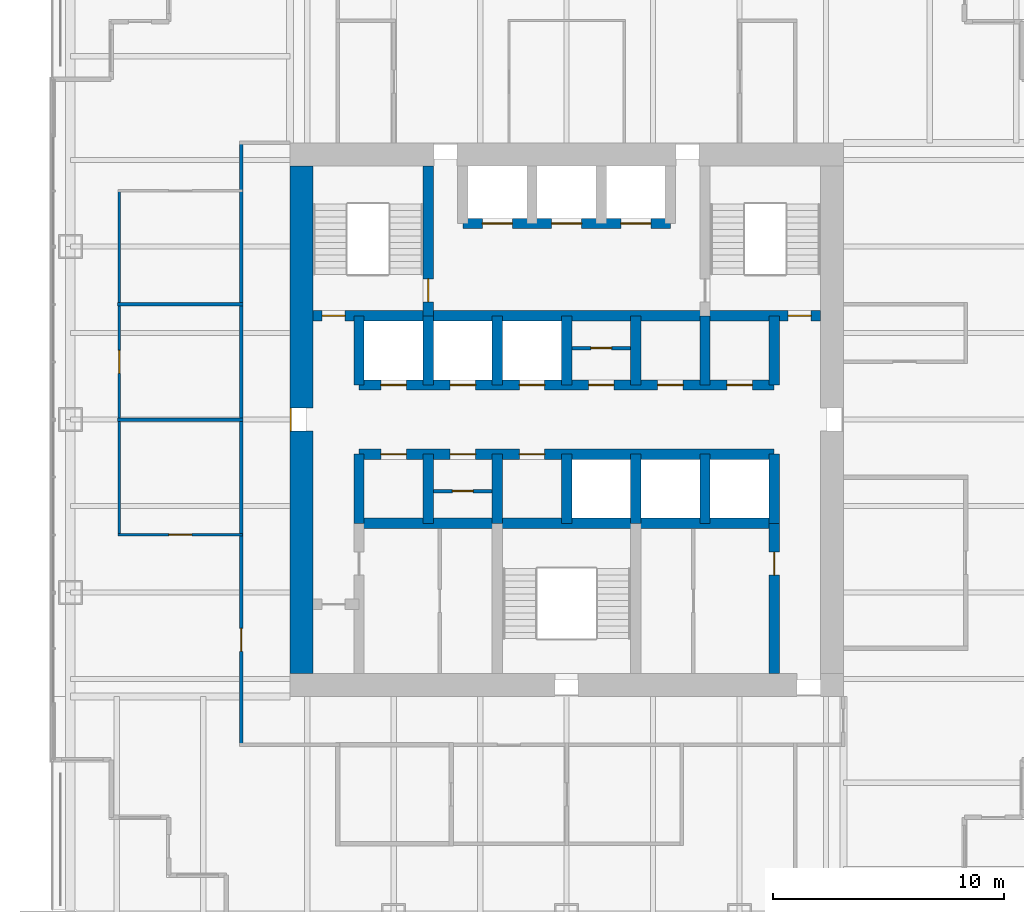
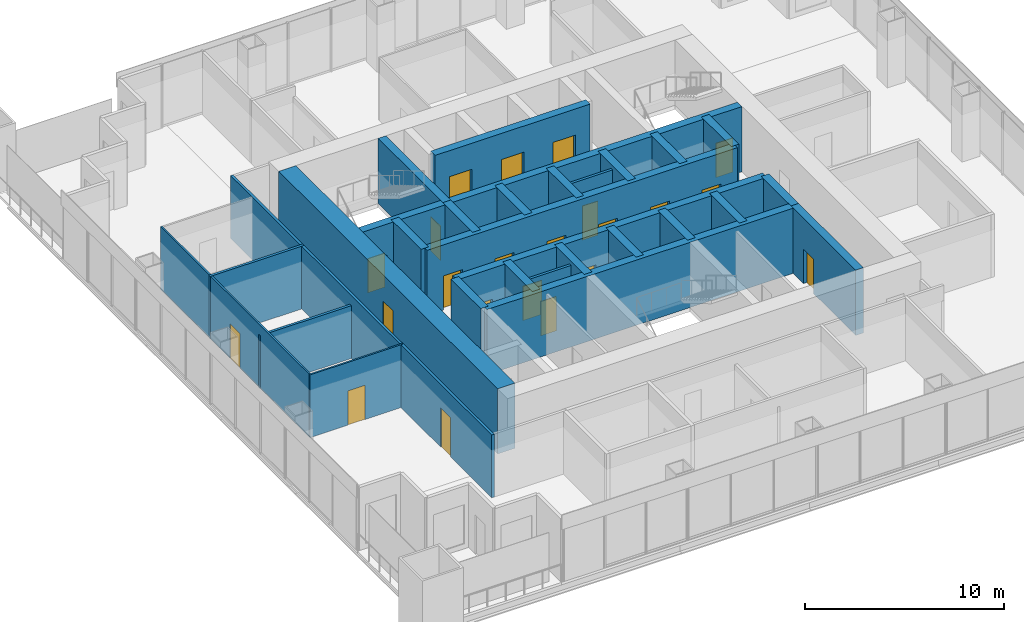
# One storey, part 9 of 13: 29 walls, 22 doors, 22 openings.
"""IFC4 building model written with IfcOpenShell, lengths in metres."""

from ifc_helpers import new_model, si_unit, direction, frame, frame_2d, origin, place, context, subcontext, project, spatial, rectangle, extrude, material, layer, layer_set, type_object, element, fill, save


model = new_model("IFC4")

# Units and contexts
model_context = context("Model", 3, precision=1e-05, world=origin(), true_north=direction((0.0, 1.0)))
body_context = subcontext(model_context, "Body", "Model", "MODEL_VIEW")
ifc_project = project(units=[si_unit("LENGTHUNIT", "METRE"), si_unit("AREAUNIT", "SQUARE_METRE"), si_unit("VOLUMEUNIT", "CUBIC_METRE"), si_unit("PLANEANGLEUNIT", "RADIAN"), si_unit("MASSUNIT", "GRAM", prefix="KILO")], contexts=[model_context])

# Site, building, storey
site_placement = place(None, origin())
site = spatial("IfcSite", under=ifc_project, at=site_placement, CompositionType="ELEMENT")
building_placement = place(site_placement, origin())
building = spatial("IfcBuilding", under=site, at=building_placement, Name="Tarangal Relay Tower", CompositionType="ELEMENT")
storey_placement = place(building_placement, frame((0.0, 0.0, 245.89990234375)))
storey = spatial("IfcBuildingStorey", under=building, at=storey_placement, Name="L53", CompositionType="ELEMENT", Elevation=245.89990234375)

# Wall, openings, doors
ifc_material_1 = material(Name="Concrete fc' 60 MPa", Category="concrete")
ifc_layer_1 = layer(ifc_material_1, 0.449951171875)
ifc_layer_set_1 = layer_set([ifc_layer_1], Name="Core inner wall 450")
wall_type_1 = type_object("IfcWallType", Name="Core inner wall 450", PredefinedType="SHEAR", material=ifc_layer_set_1)
wall_1_placement = place(storey_placement, frame((-11.0, 4.5, 0.0), z_axis=(0.0, 0.0, 1.0), x_axis=(1.0, 0.0, 0.0)))
wall_1 = element("IfcWall", 1, at=wall_1_placement, inside=storey, type_object=wall_type_1, Name="Core wall Y45 L53", PredefinedType="SHEAR", context=body_context, shape_type="SweptSolid", body=[
    extrude(rectangle(XDim=22.0, YDim=0.449951171875, at=frame_2d((11.0, 0.0))), origin(), (0.0, 0.0, 1.0), 4.0),
])
opening_1_placement = place(wall_1_placement, frame((0.39990234375, 0.0, 0.0)))
opening_1 = element("IfcOpeningElement", 2, at=opening_1_placement, cuts=wall_1, Name="Opening FD1", PredefinedType="OPENING", context=body_context, shape_type="SweptSolid", body=[
    extrude(rectangle(XDim=1.0, YDim=2.10009765625, at=frame_2d((0.5, 1.050048828125))), frame((0.0, 0.23486328125, 0.0), z_axis=(0.0, -1.0, 0.0), x_axis=(1.0, 0.0, 0.0)), (0.0, 0.0, 1.0), 0.469970703125),
])
opening_2_placement = place(wall_1_placement, frame((20.60009765625, 0.0, 0.0)))
opening_2 = element("IfcOpeningElement", 3, at=opening_2_placement, cuts=wall_1, Name="Opening FD1", PredefinedType="OPENING", context=body_context, shape_type="SweptSolid", body=[
    extrude(rectangle(XDim=1.0, YDim=2.10009765625, at=frame_2d((0.5, 1.050048828125))), frame((0.0, 0.23486328125, 0.0), z_axis=(0.0, -1.0, 0.0), x_axis=(1.0, 0.0, 0.0)), (0.0, 0.0, 1.0), 0.469970703125),
])
ifc_material_2 = material(Name="Steel door with hardwood frame", Category="steel")
door_type_1 = type_object("IfcDoorType", Name="Fire door 1000 x 2100", OperationType="SINGLE_SWING_LEFT", PredefinedType="DOOR", material=ifc_material_2)
door_1_placement = place(opening_1_placement, origin())
door_1 = element("IfcDoor", 4, at=door_1_placement, inside=storey, type_object=door_type_1, Name="Stair ST-A door from corridor L53", OperationType="SINGLE_SWING_LEFT", OverallHeight=2.10009765625, OverallWidth=1.0, PredefinedType="DOOR", context=body_context, shape_type="SweptSolid", body=[
    extrude(rectangle(XDim=1.0, YDim=2.10009765625, at=frame_2d((0.5, 1.050048828125))), frame((0.0, 0.02490234375, 0.0), z_axis=(0.0, -1.0, 0.0), x_axis=(1.0, 0.0, 0.0)), (0.0, 0.0, 1.0), 0.050048828125),
])
fill(opening_1, door_1)
door_2_placement = place(opening_2_placement, origin())
door_2 = element("IfcDoor", 5, at=door_2_placement, inside=storey, type_object=door_type_1, Name="Stair ST-B door from corridor L53", OperationType="SINGLE_SWING_LEFT", OverallHeight=2.10009765625, OverallWidth=1.0, PredefinedType="DOOR", context=body_context, shape_type="SweptSolid", body=[
    extrude(rectangle(XDim=1.0, YDim=2.10009765625, at=frame_2d((0.5, 1.050048828125))), frame((0.0, 0.02490234375, 0.0), z_axis=(0.0, -1.0, 0.0), x_axis=(1.0, 0.0, 0.0)), (0.0, 0.0, 1.0), 0.050048828125),
])
fill(opening_2, door_2)

wall_2_placement = place(storey_placement, frame((-9.0, 1.5, 0.0), z_axis=(0.0, 0.0, 1.0), x_axis=(1.0, 0.0, 0.0)))
wall_2 = element("IfcWall", 6, at=wall_2_placement, inside=storey, type_object=wall_type_1, Name="Core wall Y15 L53", PredefinedType="SHEAR", context=body_context, shape_type="SweptSolid", body=[
    extrude(rectangle(XDim=18.0, YDim=0.449951171875, at=frame_2d((9.0, 0.0))), origin(), (0.0, 0.0, 1.0), 4.0),
])
opening_3_placement = place(wall_2_placement, frame((0.949951171875, 0.0, 0.0)))
opening_3 = element("IfcOpeningElement", 7, at=opening_3_placement, cuts=wall_2, Name="Opening LD1", PredefinedType="OPENING", context=body_context, shape_type="SweptSolid", body=[
    extrude(rectangle(XDim=1.10009765625, YDim=2.10009765625, at=frame_2d((0.550048828125, 1.050048828125))), frame((0.0, 0.23486328125, 0.0), z_axis=(0.0, -1.0, 0.0), x_axis=(1.0, 0.0, 0.0)), (0.0, 0.0, 1.0), 0.469970703125),
])
opening_4_placement = place(wall_2_placement, frame((3.949951171875, 0.0, 0.0)))
opening_4 = element("IfcOpeningElement", 8, at=opening_4_placement, cuts=wall_2, Name="Opening LD1", PredefinedType="OPENING", context=body_context, shape_type="SweptSolid", body=[
    extrude(rectangle(XDim=1.10009765625, YDim=2.10009765625, at=frame_2d((0.550048828125, 1.050048828125))), frame((0.0, 0.23486328125, 0.0), z_axis=(0.0, -1.0, 0.0), x_axis=(1.0, 0.0, 0.0)), (0.0, 0.0, 1.0), 0.469970703125),
])
opening_5_placement = place(wall_2_placement, frame((6.949951171875, 0.0, 0.0)))
opening_5 = element("IfcOpeningElement", 9, at=opening_5_placement, cuts=wall_2, Name="Opening LD1", PredefinedType="OPENING", context=body_context, shape_type="SweptSolid", body=[
    extrude(rectangle(XDim=1.10009765625, YDim=2.10009765625, at=frame_2d((0.550048828125, 1.050048828125))), frame((0.0, 0.23486328125, 0.0), z_axis=(0.0, -1.0, 0.0), x_axis=(1.0, 0.0, 0.0)), (0.0, 0.0, 1.0), 0.469970703125),
])
opening_6_placement = place(wall_2_placement, frame((9.949951171875, 0.0, 0.0)))
opening_6 = element("IfcOpeningElement", 10, at=opening_6_placement, cuts=wall_2, Name="Opening D4", PredefinedType="OPENING", context=body_context, shape_type="SweptSolid", body=[
    extrude(rectangle(XDim=1.10009765625, YDim=2.10009765625, at=frame_2d((0.550048828125, 1.050048828125))), frame((0.0, 0.23486328125, 0.0), z_axis=(0.0, -1.0, 0.0), x_axis=(1.0, 0.0, 0.0)), (0.0, 0.0, 1.0), 0.469970703125),
])
opening_7_placement = place(wall_2_placement, frame((12.949951171875, 0.0, 0.0)))
opening_7 = element("IfcOpeningElement", 11, at=opening_7_placement, cuts=wall_2, Name="Opening D4", PredefinedType="OPENING", context=body_context, shape_type="SweptSolid", body=[
    extrude(rectangle(XDim=1.10009765625, YDim=2.10009765625, at=frame_2d((0.550048828125, 1.050048828125))), frame((0.0, 0.23486328125, 0.0), z_axis=(0.0, -1.0, 0.0), x_axis=(1.0, 0.0, 0.0)), (0.0, 0.0, 1.0), 0.469970703125),
])
opening_8_placement = place(wall_2_placement, frame((15.949951171875, 0.0, 0.0)))
opening_8 = element("IfcOpeningElement", 12, at=opening_8_placement, cuts=wall_2, Name="Opening D4", PredefinedType="OPENING", context=body_context, shape_type="SweptSolid", body=[
    extrude(rectangle(XDim=1.10009765625, YDim=2.10009765625, at=frame_2d((0.550048828125, 1.050048828125))), frame((0.0, 0.23486328125, 0.0), z_axis=(0.0, -1.0, 0.0), x_axis=(1.0, 0.0, 0.0)), (0.0, 0.0, 1.0), 0.469970703125),
])
door_type_2 = type_object("IfcDoorType", Name="Core room door 1100 x 2100", OperationType="SINGLE_SWING_RIGHT", PredefinedType="DOOR", material=ifc_material_2)
door_3_placement = place(opening_6_placement, origin())
door_3 = element("IfcDoor", 13, at=door_3_placement, inside=storey, type_object=door_type_2, Name="Door D4 to it room L53-T1", OperationType="SINGLE_SWING_RIGHT", OverallHeight=2.10009765625, OverallWidth=1.10009765625, PredefinedType="DOOR", context=body_context, shape_type="SweptSolid", body=[
    extrude(rectangle(XDim=1.10009765625, YDim=2.10009765625, at=frame_2d((0.550048828125, 1.050048828125))), frame((0.0, 0.02490234375, 0.0), z_axis=(0.0, -1.0, 0.0), x_axis=(1.0, 0.0, 0.0)), (0.0, 0.0, 1.0), 0.050048828125),
])
fill(opening_6, door_3)
door_4_placement = place(opening_7_placement, origin())
door_4 = element("IfcDoor", 14, at=door_4_placement, inside=storey, type_object=door_type_2, Name="Door D4 to cleaner's store L53-T2", OperationType="SINGLE_SWING_RIGHT", OverallHeight=2.10009765625, OverallWidth=1.10009765625, PredefinedType="DOOR", context=body_context, shape_type="SweptSolid", body=[
    extrude(rectangle(XDim=1.10009765625, YDim=2.10009765625, at=frame_2d((0.550048828125, 1.050048828125))), frame((0.0, 0.02490234375, 0.0), z_axis=(0.0, -1.0, 0.0), x_axis=(1.0, 0.0, 0.0)), (0.0, 0.0, 1.0), 0.050048828125),
])
fill(opening_7, door_4)
door_5_placement = place(opening_8_placement, origin())
door_5 = element("IfcDoor", 15, at=door_5_placement, inside=storey, type_object=door_type_2, Name="Door D4 to staff wc L53-T3", OperationType="SINGLE_SWING_RIGHT", OverallHeight=2.10009765625, OverallWidth=1.10009765625, PredefinedType="DOOR", context=body_context, shape_type="SweptSolid", body=[
    extrude(rectangle(XDim=1.10009765625, YDim=2.10009765625, at=frame_2d((0.550048828125, 1.050048828125))), frame((0.0, 0.02490234375, 0.0), z_axis=(0.0, -1.0, 0.0), x_axis=(1.0, 0.0, 0.0)), (0.0, 0.0, 1.0), 0.050048828125),
])
fill(opening_8, door_5)
door_type_3 = type_object("IfcDoorType", Name="Lift landing door 1100 x 2100", OperationType="SLIDING_TO_LEFT", PredefinedType="DOOR", material=ifc_material_2)
door_6_placement = place(opening_3_placement, origin())
door_6 = element("IfcDoor", 16, at=door_6_placement, inside=storey, type_object=door_type_3, Name="Lift OL1 landing door L53", OperationType="SLIDING_TO_LEFT", OverallHeight=2.10009765625, OverallWidth=1.10009765625, PredefinedType="DOOR", context=body_context, shape_type="SweptSolid", body=[
    extrude(rectangle(XDim=1.10009765625, YDim=2.10009765625, at=frame_2d((0.550048828125, 1.050048828125))), frame((0.0, 0.02490234375, 0.0), z_axis=(0.0, -1.0, 0.0), x_axis=(1.0, 0.0, 0.0)), (0.0, 0.0, 1.0), 0.050048828125),
])
fill(opening_3, door_6)
door_7_placement = place(opening_4_placement, origin())
door_7 = element("IfcDoor", 17, at=door_7_placement, inside=storey, type_object=door_type_3, Name="Lift OL2 landing door L53", OperationType="SLIDING_TO_LEFT", OverallHeight=2.10009765625, OverallWidth=1.10009765625, PredefinedType="DOOR", context=body_context, shape_type="SweptSolid", body=[
    extrude(rectangle(XDim=1.10009765625, YDim=2.10009765625, at=frame_2d((0.550048828125, 1.050048828125))), frame((0.0, 0.02490234375, 0.0), z_axis=(0.0, -1.0, 0.0), x_axis=(1.0, 0.0, 0.0)), (0.0, 0.0, 1.0), 0.050048828125),
])
fill(opening_4, door_7)
door_8_placement = place(opening_5_placement, origin())
door_8 = element("IfcDoor", 18, at=door_8_placement, inside=storey, type_object=door_type_3, Name="Lift OL3 landing door L53", OperationType="SLIDING_TO_LEFT", OverallHeight=2.10009765625, OverallWidth=1.10009765625, PredefinedType="DOOR", context=body_context, shape_type="SweptSolid", body=[
    extrude(rectangle(XDim=1.10009765625, YDim=2.10009765625, at=frame_2d((0.550048828125, 1.050048828125))), frame((0.0, 0.02490234375, 0.0), z_axis=(0.0, -1.0, 0.0), x_axis=(1.0, 0.0, 0.0)), (0.0, 0.0, 1.0), 0.050048828125),
])
fill(opening_5, door_8)

wall_3_placement = place(storey_placement, frame((-9.0, -1.5, 0.0), z_axis=(0.0, 0.0, 1.0), x_axis=(1.0, 0.0, 0.0)))
wall_3 = element("IfcWall", 19, at=wall_3_placement, inside=storey, type_object=wall_type_1, Name="Core wall YM15 L53", PredefinedType="SHEAR", context=body_context, shape_type="SweptSolid", body=[
    extrude(rectangle(XDim=18.0, YDim=0.449951171875, at=frame_2d((9.0, 0.0))), origin(), (0.0, 0.0, 1.0), 4.0),
])
opening_9_placement = place(wall_3_placement, frame((0.949951171875, 0.0, 0.0)))
opening_9 = element("IfcOpeningElement", 20, at=opening_9_placement, cuts=wall_3, Name="Opening D4", PredefinedType="OPENING", context=body_context, shape_type="SweptSolid", body=[
    extrude(rectangle(XDim=1.10009765625, YDim=2.10009765625, at=frame_2d((0.550048828125, 1.050048828125))), frame((0.0, 0.23486328125, 0.0), z_axis=(0.0, -1.0, 0.0), x_axis=(1.0, 0.0, 0.0)), (0.0, 0.0, 1.0), 0.469970703125),
])
opening_10_placement = place(wall_3_placement, frame((3.949951171875, 0.0, 0.0)))
opening_10 = element("IfcOpeningElement", 21, at=opening_10_placement, cuts=wall_3, Name="Opening D4", PredefinedType="OPENING", context=body_context, shape_type="SweptSolid", body=[
    extrude(rectangle(XDim=1.10009765625, YDim=2.10009765625, at=frame_2d((0.550048828125, 1.050048828125))), frame((0.0, 0.23486328125, 0.0), z_axis=(0.0, -1.0, 0.0), x_axis=(1.0, 0.0, 0.0)), (0.0, 0.0, 1.0), 0.469970703125),
])
opening_11_placement = place(wall_3_placement, frame((6.949951171875, 0.0, 0.0)))
opening_11 = element("IfcOpeningElement", 22, at=opening_11_placement, cuts=wall_3, Name="Opening D4", PredefinedType="OPENING", context=body_context, shape_type="SweptSolid", body=[
    extrude(rectangle(XDim=1.10009765625, YDim=2.10009765625, at=frame_2d((0.550048828125, 1.050048828125))), frame((0.0, 0.23486328125, 0.0), z_axis=(0.0, -1.0, 0.0), x_axis=(1.0, 0.0, 0.0)), (0.0, 0.0, 1.0), 0.469970703125),
])
door_9_placement = place(opening_9_placement, origin())
door_9 = element("IfcDoor", 23, at=door_9_placement, inside=storey, type_object=door_type_2, Name="Door D4 to staff pantry L53-S1", OperationType="SINGLE_SWING_RIGHT", OverallHeight=2.10009765625, OverallWidth=1.10009765625, PredefinedType="DOOR", context=body_context, shape_type="SweptSolid", body=[
    extrude(rectangle(XDim=1.10009765625, YDim=2.10009765625, at=frame_2d((0.550048828125, 1.050048828125))), frame((0.0, 0.02490234375, 0.0), z_axis=(0.0, -1.0, 0.0), x_axis=(1.0, 0.0, 0.0)), (0.0, 0.0, 1.0), 0.050048828125),
])
fill(opening_9, door_9)
door_10_placement = place(opening_10_placement, origin())
door_10 = element("IfcDoor", 24, at=door_10_placement, inside=storey, type_object=door_type_2, Name="Door D4 to it room L53-S2", OperationType="SINGLE_SWING_RIGHT", OverallHeight=2.10009765625, OverallWidth=1.10009765625, PredefinedType="DOOR", context=body_context, shape_type="SweptSolid", body=[
    extrude(rectangle(XDim=1.10009765625, YDim=2.10009765625, at=frame_2d((0.550048828125, 1.050048828125))), frame((0.0, 0.02490234375, 0.0), z_axis=(0.0, -1.0, 0.0), x_axis=(1.0, 0.0, 0.0)), (0.0, 0.0, 1.0), 0.050048828125),
])
fill(opening_10, door_10)
door_11_placement = place(opening_11_placement, origin())
door_11 = element("IfcDoor", 25, at=door_11_placement, inside=storey, type_object=door_type_2, Name="Door D4 to cleaner's store L53-S3", OperationType="SINGLE_SWING_RIGHT", OverallHeight=2.10009765625, OverallWidth=1.10009765625, PredefinedType="DOOR", context=body_context, shape_type="SweptSolid", body=[
    extrude(rectangle(XDim=1.10009765625, YDim=2.10009765625, at=frame_2d((0.550048828125, 1.050048828125))), frame((0.0, 0.02490234375, 0.0), z_axis=(0.0, -1.0, 0.0), x_axis=(1.0, 0.0, 0.0)), (0.0, 0.0, 1.0), 0.050048828125),
])
fill(opening_11, door_11)

# Wall
wall_4_placement = place(storey_placement, frame((-9.0, -4.5, 0.0), z_axis=(0.0, 0.0, 1.0), x_axis=(1.0, 0.0, 0.0)))
element("IfcWall", 26, at=wall_4_placement, inside=storey, type_object=wall_type_1, Name="Core wall YM45 L53", PredefinedType="SHEAR", context=body_context, shape_type="SweptSolid", body=[
    extrude(rectangle(XDim=18.0, YDim=0.449951171875, at=frame_2d((9.0, 0.0))), origin(), (0.0, 0.0, 1.0), 4.0),
])

# Wall, openings, doors
wall_5_placement = place(storey_placement, frame((-4.5, 8.5, 0.0), z_axis=(0.0, 0.0, 1.0), x_axis=(1.0, 0.0, 0.0)))
wall_5 = element("IfcWall", 27, at=wall_5_placement, inside=storey, type_object=wall_type_1, Name="Core wall Y85 L53", PredefinedType="SHEAR", context=body_context, shape_type="SweptSolid", body=[
    extrude(rectangle(XDim=9.0, YDim=0.449951171875, at=frame_2d((4.5, 0.0))), origin(), (0.0, 0.0, 1.0), 4.0),
])
opening_12_placement = place(wall_5_placement, frame((0.85009765625, 0.0, 0.0)))
opening_12 = element("IfcOpeningElement", 28, at=opening_12_placement, cuts=wall_5, Name="Opening LD2", PredefinedType="OPENING", context=body_context, shape_type="SweptSolid", body=[
    extrude(rectangle(XDim=1.300048828125, YDim=2.39990234375, at=frame_2d((0.64990234375, 1.199951171875))), frame((0.0, 0.23486328125, 0.0), z_axis=(0.0, -1.0, 0.0), x_axis=(1.0, 0.0, 0.0)), (0.0, 0.0, 1.0), 0.469970703125),
])
opening_13_placement = place(wall_5_placement, frame((6.85009765625, 0.0, 0.0)))
opening_13 = element("IfcOpeningElement", 29, at=opening_13_placement, cuts=wall_5, Name="Opening LD2", PredefinedType="OPENING", context=body_context, shape_type="SweptSolid", body=[
    extrude(rectangle(XDim=1.300048828125, YDim=2.39990234375, at=frame_2d((0.64990234375, 1.199951171875))), frame((0.0, 0.23486328125, 0.0), z_axis=(0.0, -1.0, 0.0), x_axis=(1.0, 0.0, 0.0)), (0.0, 0.0, 1.0), 0.469970703125),
])
opening_14_placement = place(wall_5_placement, frame((3.85009765625, 0.0, 0.0)))
opening_14 = element("IfcOpeningElement", 30, at=opening_14_placement, cuts=wall_5, Name="Opening LD2", PredefinedType="OPENING", context=body_context, shape_type="SweptSolid", body=[
    extrude(rectangle(XDim=1.300048828125, YDim=2.39990234375, at=frame_2d((0.64990234375, 1.199951171875))), frame((0.0, 0.23486328125, 0.0), z_axis=(0.0, -1.0, 0.0), x_axis=(1.0, 0.0, 0.0)), (0.0, 0.0, 1.0), 0.469970703125),
])
door_type_4 = type_object("IfcDoorType", Name="Lift landing door 1300 x 2400", OperationType="SLIDING_TO_LEFT", PredefinedType="DOOR", material=ifc_material_2)
door_12_placement = place(opening_12_placement, origin())
door_12 = element("IfcDoor", 31, at=door_12_placement, inside=storey, type_object=door_type_4, Name="Lift FF1 landing door L53", OperationType="SLIDING_TO_LEFT", OverallHeight=2.39990234375, OverallWidth=1.300048828125, PredefinedType="DOOR", context=body_context, shape_type="SweptSolid", body=[
    extrude(rectangle(XDim=1.300048828125, YDim=2.39990234375, at=frame_2d((0.64990234375, 1.199951171875))), frame((0.0, 0.02490234375, 0.0), z_axis=(0.0, -1.0, 0.0), x_axis=(1.0, 0.0, 0.0)), (0.0, 0.0, 1.0), 0.050048828125),
])
fill(opening_12, door_12)
door_13_placement = place(opening_13_placement, origin())
door_13 = element("IfcDoor", 32, at=door_13_placement, inside=storey, type_object=door_type_4, Name="Lift FF2 landing door L53", OperationType="SLIDING_TO_LEFT", OverallHeight=2.39990234375, OverallWidth=1.300048828125, PredefinedType="DOOR", context=body_context, shape_type="SweptSolid", body=[
    extrude(rectangle(XDim=1.300048828125, YDim=2.39990234375, at=frame_2d((0.64990234375, 1.199951171875))), frame((0.0, 0.02490234375, 0.0), z_axis=(0.0, -1.0, 0.0), x_axis=(1.0, 0.0, 0.0)), (0.0, 0.0, 1.0), 0.050048828125),
])
fill(opening_13, door_13)
door_14_placement = place(opening_14_placement, origin())
door_14 = element("IfcDoor", 33, at=door_14_placement, inside=storey, type_object=door_type_4, Name="Lift SV1 landing door L53", OperationType="SLIDING_TO_LEFT", OverallHeight=2.39990234375, OverallWidth=1.300048828125, PredefinedType="DOOR", context=body_context, shape_type="SweptSolid", body=[
    extrude(rectangle(XDim=1.300048828125, YDim=2.39990234375, at=frame_2d((0.64990234375, 1.199951171875))), frame((0.0, 0.02490234375, 0.0), z_axis=(0.0, -1.0, 0.0), x_axis=(1.0, 0.0, 0.0)), (0.0, 0.0, 1.0), 0.050048828125),
])
fill(opening_14, door_14)

# Walls
for number, where, z_axis, x_axis, name in (
    (34, (-9.0, 1.5, 0.0), (0.0, 0.0, 1.0), (0.0, 1.0, 0.0), "Core wall XM9N L53"),
    (35, (9.0, 1.5, 0.0), (0.0, 0.0, 1.0), (0.0, 1.0, 0.0), "Core wall X9N L53"),
    (36, (-9.0, -4.5, 0.0), (0.0, 0.0, 1.0), (0.0, 1.0, 0.0), "Core wall XM9S L53"),
    (37, (9.0, -4.5, 0.0), (0.0, 0.0, 1.0), (0.0, 1.0, 0.0), "Core wall X9S L53"),
    (38, (-6.0, 1.5, 0.0), (0.0, 0.0, 1.0), (0.0, 1.0, 0.0), "Core wall XM6N L53"),
    (39, (-3.0, 1.5, 0.0), (0.0, 0.0, 1.0), (0.0, 1.0, 0.0), "Core wall XM3N L53"),
    (40, (0.0, 1.5, 0.0), (0.0, 0.0, 1.0), (0.0, 1.0, 0.0), "Core wall X0N L53"),
    (41, (3.0, 1.5, 0.0), (0.0, 0.0, 1.0), (0.0, 1.0, 0.0), "Core wall X3N L53"),
    (42, (6.0, 1.5, 0.0), (0.0, 0.0, 1.0), (0.0, 1.0, 0.0), "Core wall X6N L53"),
    (43, (-6.0, -4.5, 0.0), (0.0, 0.0, 1.0), (0.0, 1.0, 0.0), "Core wall XM6S L53"),
    (44, (-3.0, -4.5, 0.0), (0.0, 0.0, 1.0), (0.0, 1.0, 0.0), "Core wall XM3S L53"),
    (45, (0.0, -4.5, 0.0), (0.0, 0.0, 1.0), (0.0, 1.0, 0.0), "Core wall X0S L53"),
    (46, (3.0, -4.5, 0.0), (0.0, 0.0, 1.0), (0.0, 1.0, 0.0), "Core wall X3S L53"),
    (47, (6.0, -4.5, 0.0), (0.0, 0.0, 1.0), (0.0, 1.0, 0.0), "Core wall X6S L53"),
):
    element("IfcWall", number, at=place(storey_placement, frame(where, z_axis=z_axis, x_axis=x_axis)), inside=storey, type_object=wall_type_1, Name=name, PredefinedType="SHEAR", context=body_context, shape_type="SweptSolid", body=[
        extrude(rectangle(XDim=3.0, YDim=0.449951171875, at=frame_2d((1.5, 0.0))), origin(), (0.0, 0.0, 1.0), 4.0),
    ])

# Wall, opening, door
wall_6_placement = place(storey_placement, frame((-6.0, 4.5, 0.0), z_axis=(0.0, 0.0, 1.0), x_axis=(0.0, 1.0, 0.0)))
wall_6 = element("IfcWall", 48, at=wall_6_placement, inside=storey, type_object=wall_type_1, Name="Core wall XM6 L53", PredefinedType="SHEAR", context=body_context, shape_type="SweptSolid", body=[
    extrude(rectangle(XDim=6.5, YDim=0.449951171875, at=frame_2d((3.25, 0.0))), origin(), (0.0, 0.0, 1.0), 4.0),
])
opening_15_placement = place(wall_6_placement, frame((0.60009765625, 0.0, 0.0)))
opening_15 = element("IfcOpeningElement", 49, at=opening_15_placement, cuts=wall_6, Name="Opening FD1", PredefinedType="OPENING", context=body_context, shape_type="SweptSolid", body=[
    extrude(rectangle(XDim=1.0, YDim=2.10009765625, at=frame_2d((0.5, 1.050048828125))), frame((0.0, 0.23486328125, 0.0), z_axis=(0.0, -1.0, 0.0), x_axis=(1.0, 0.0, 0.0)), (0.0, 0.0, 1.0), 0.469970703125),
])
door_15_placement = place(opening_15_placement, origin())
door_15 = element("IfcDoor", 50, at=door_15_placement, inside=storey, type_object=door_type_1, Name="Stair ST-A door from fire-fighting lobby L53", OperationType="SINGLE_SWING_LEFT", OverallHeight=2.10009765625, OverallWidth=1.0, PredefinedType="DOOR", context=body_context, shape_type="SweptSolid", body=[
    extrude(rectangle(XDim=1.0, YDim=2.10009765625, at=frame_2d((0.5, 1.050048828125))), frame((0.0, 0.02490234375, 0.0), z_axis=(0.0, -1.0, 0.0), x_axis=(1.0, 0.0, 0.0)), (0.0, 0.0, 1.0), 0.050048828125),
])
fill(opening_15, door_15)

wall_7_placement = place(storey_placement, frame((9.0, -11.0, 0.0), z_axis=(0.0, 0.0, 1.0), x_axis=(0.0, 1.0, 0.0)))
wall_7 = element("IfcWall", 51, at=wall_7_placement, inside=storey, type_object=wall_type_1, Name="Core wall X9W L53", PredefinedType="SHEAR", context=body_context, shape_type="SweptSolid", body=[
    extrude(rectangle(XDim=6.5, YDim=0.449951171875, at=frame_2d((3.25, 0.0))), origin(), (0.0, 0.0, 1.0), 4.0),
])
opening_16_placement = place(wall_7_placement, frame((4.25, 0.0, 0.0)))
opening_16 = element("IfcOpeningElement", 52, at=opening_16_placement, cuts=wall_7, Name="Opening D1", PredefinedType="OPENING", context=body_context, shape_type="SweptSolid", body=[
    extrude(rectangle(XDim=1.0, YDim=2.10009765625, at=frame_2d((0.5, 1.050048828125))), frame((0.0, 0.23486328125, 0.0), z_axis=(0.0, -1.0, 0.0), x_axis=(1.0, 0.0, 0.0)), (0.0, 0.0, 1.0), 0.469970703125),
])
ifc_material_3 = material(Name="Hardwood door", Category="wood")
door_type_5 = type_object("IfcDoorType", Name="WC door 1000 x 2100", OperationType="SINGLE_SWING_LEFT", PredefinedType="DOOR", material=ifc_material_3)
door_16_placement = place(opening_16_placement, origin())
door_16 = element("IfcDoor", 53, at=door_16_placement, inside=storey, type_object=door_type_5, Name="Female WC door L53", OperationType="SINGLE_SWING_LEFT", OverallHeight=2.10009765625, OverallWidth=1.0, PredefinedType="DOOR", context=body_context, shape_type="SweptSolid", body=[
    extrude(rectangle(XDim=1.0, YDim=2.10009765625, at=frame_2d((0.5, 1.050048828125))), frame((0.0, 0.02490234375, 0.0), z_axis=(0.0, -1.0, 0.0), x_axis=(1.0, 0.0, 0.0)), (0.0, 0.0, 1.0), 0.050048828125),
])
fill(opening_16, door_16)

ifc_layer_2 = layer(ifc_material_1, 1.0)
ifc_layer_set_2 = layer_set([ifc_layer_2], Name="Core wall 1000")
wall_type_2 = type_object("IfcWallType", Name="Core wall 1000", PredefinedType="SHEAR", material=ifc_layer_set_2)
wall_8_placement = place(storey_placement, frame((-11.5, -11.0, 0.0), z_axis=(0.0, 0.0, 1.0), x_axis=(0.0, 1.0, 0.0)))
wall_8 = element("IfcWall", 54, at=wall_8_placement, inside=storey, type_object=wall_type_2, Name="Core wall W L53", PredefinedType="SHEAR", context=body_context, shape_type="SweptSolid", body=[
    extrude(rectangle(XDim=22.0, YDim=1.0, at=frame_2d((11.0, 0.0))), origin(), (0.0, 0.0, 1.0), 4.0),
])
opening_17_placement = place(wall_8_placement, frame((10.5, 0.0, 0.0)))
opening_17 = element("IfcOpeningElement", 55, at=opening_17_placement, cuts=wall_8, Name="Opening FD3", PredefinedType="OPENING", context=body_context, shape_type="SweptSolid", body=[
    extrude(rectangle(XDim=1.0, YDim=2.39990234375, at=frame_2d((0.5, 1.199951171875))), frame((0.0, 0.510009765625, 0.0), z_axis=(0.0, -1.0, 0.0), x_axis=(1.0, 0.0, 0.0)), (0.0, 0.0, 1.0), 1.02001953125),
])
door_type_6 = type_object("IfcDoorType", Name="Fire door 1000 x 2400 core entry", OperationType="SINGLE_SWING_RIGHT", PredefinedType="DOOR", material=ifc_material_2)
door_17_placement = place(opening_17_placement, origin())
door_17 = element("IfcDoor", 56, at=door_17_placement, inside=storey, type_object=door_type_6, Name="Core entry door west L53", OperationType="SINGLE_SWING_RIGHT", OverallHeight=2.39990234375, OverallWidth=1.0, PredefinedType="DOOR", context=body_context, shape_type="SweptSolid", body=[
    extrude(rectangle(XDim=1.0, YDim=2.39990234375, at=frame_2d((0.5, 1.199951171875))), frame((0.0, 0.48486328125, 0.0), z_axis=(0.0, -1.0, 0.0), x_axis=(1.0, 0.0, 0.0)), (0.0, 0.0, 1.0), 0.050048828125),
])
fill(opening_17, door_17)

ifc_material_4 = material(Name="Double glazed aluminium framed partition", Category="aluminium")
ifc_layer_3 = layer(ifc_material_4, 0.10009765625)
ifc_layer_set_3 = layer_set([ifc_layer_3], Name="Glazed partition 100")
wall_type_3 = type_object("IfcWallType", Name="Glazed partition 100", PredefinedType="PARTITIONING", material=ifc_layer_set_3)
wall_9_placement = place(storey_placement, frame((-19.449951171875, -5.0, 0.0), z_axis=(0.0, 0.0, 1.0), x_axis=(1.0, 0.0, 0.0)))
wall_9 = element("IfcWall", 57, at=wall_9_placement, inside=storey, type_object=wall_type_3, Name="Partition PT3 L53", PredefinedType="PARTITIONING", context=body_context, shape_type="SweptSolid", body=[
    extrude(rectangle(XDim=5.39990234375, YDim=0.10009765625, at=frame_2d((2.699951171875, 0.0))), origin(), (0.0, 0.0, 1.0), 3.85009765625),
])
opening_18_placement = place(wall_9_placement, frame((2.199951171875, 0.0, 0.0)))
opening_18 = element("IfcOpeningElement", 58, at=opening_18_placement, cuts=wall_9, Name="Opening D3", PredefinedType="OPENING", context=body_context, shape_type="SweptSolid", body=[
    extrude(rectangle(XDim=1.0, YDim=2.10009765625, at=frame_2d((0.5, 1.050048828125))), frame((0.0, 0.06005859375, 0.0), z_axis=(0.0, -1.0, 0.0), x_axis=(1.0, 0.0, 0.0)), (0.0, 0.0, 1.0), 0.1201171875),
])
ifc_material_5 = material(Name="Frameless glass door", Category="glass")
door_type_7 = type_object("IfcDoorType", Name="Glazed door 1000 x 2100", OperationType="SINGLE_SWING_LEFT", PredefinedType="DOOR", material=ifc_material_5)
door_18_placement = place(opening_18_placement, origin())
door_18 = element("IfcDoor", 59, at=door_18_placement, inside=storey, type_object=door_type_7, Name="Door D3 to meeting room L53-10", OperationType="SINGLE_SWING_LEFT", OverallHeight=2.10009765625, OverallWidth=1.0, PredefinedType="DOOR", context=body_context, shape_type="SweptSolid", body=[
    extrude(rectangle(XDim=1.0, YDim=2.10009765625, at=frame_2d((0.5, 1.050048828125))), frame((0.0, 0.02490234375, 0.0), z_axis=(0.0, -1.0, 0.0), x_axis=(1.0, 0.0, 0.0)), (0.0, 0.0, 1.0), 0.050048828125),
])
fill(opening_18, door_18)

wall_10_placement = place(storey_placement, frame((-19.39990234375, -5.050048828125, 0.0), z_axis=(0.0, 0.0, 1.0), x_axis=(0.0, 1.0, 0.0)))
wall_10 = element("IfcWall", 60, at=wall_10_placement, inside=storey, type_object=wall_type_3, Name="Partition PT3 L53", PredefinedType="PARTITIONING", context=body_context, shape_type="SweptSolid", body=[
    extrude(rectangle(XDim=15.01708984375, YDim=0.10009765625, at=frame_2d((7.508544921875, 0.0))), origin(), (0.0, 0.0, 1.0), 3.85009765625),
])
opening_19_placement = place(wall_10_placement, frame((7.050048828125, 0.0, 0.0)))
opening_19 = element("IfcOpeningElement", 61, at=opening_19_placement, cuts=wall_10, Name="Opening D3", PredefinedType="OPENING", context=body_context, shape_type="SweptSolid", body=[
    extrude(rectangle(XDim=1.0, YDim=2.10009765625, at=frame_2d((0.5, 1.050048828125))), frame((0.0, 0.06005859375, 0.0), z_axis=(0.0, -1.0, 0.0), x_axis=(1.0, 0.0, 0.0)), (0.0, 0.0, 1.0), 0.1201171875),
])
door_19_placement = place(opening_19_placement, origin())
door_19 = element("IfcDoor", 62, at=door_19_placement, inside=storey, type_object=door_type_7, Name="Door D3 to meeting room L53-11", OperationType="SINGLE_SWING_LEFT", OverallHeight=2.10009765625, OverallWidth=1.0, PredefinedType="DOOR", context=body_context, shape_type="SweptSolid", body=[
    extrude(rectangle(XDim=1.0, YDim=2.10009765625, at=frame_2d((0.5, 1.050048828125))), frame((0.0, 0.02490234375, 0.0), z_axis=(0.0, -1.0, 0.0), x_axis=(1.0, 0.0, 0.0)), (0.0, 0.0, 1.0), 0.050048828125),
])
fill(opening_19, door_19)

# Walls
ifc_material_6 = material(Name="Gypsum board on steel studs", Category="steel")
ifc_layer_4 = layer(ifc_material_6, 0.14990234375)
ifc_layer_set_4 = layer_set([ifc_layer_4], Name="Partition 150")
wall_type_4 = type_object("IfcWallType", Name="Partition 150", PredefinedType="PARTITIONING", material=ifc_layer_set_4)
wall_11_placement = place(storey_placement, frame((-19.47509765625, 0.0, 0.0), z_axis=(0.0, 0.0, 1.0), x_axis=(1.0, 0.0, 0.0)))
element("IfcWall", 63, at=wall_11_placement, inside=storey, type_object=wall_type_4, Name="Partition PT1 L53", PredefinedType="PARTITIONING", context=body_context, shape_type="SweptSolid", body=[
    extrude(rectangle(XDim=5.4501953125, YDim=0.14990234375, at=frame_2d((2.72509765625, 0.0))), origin(), (0.0, 0.0, 1.0), 3.238037109375),
])
wall_12_placement = place(storey_placement, frame((-19.47509765625, 5.0, 0.0), z_axis=(0.0, 0.0, 1.0), x_axis=(1.0, 0.0, 0.0)))
element("IfcWall", 64, at=wall_12_placement, inside=storey, type_object=wall_type_4, Name="Partition PT1 L53", PredefinedType="PARTITIONING", context=body_context, shape_type="SweptSolid", body=[
    extrude(rectangle(XDim=5.4501953125, YDim=0.14990234375, at=frame_2d((2.72509765625, 0.0))), origin(), (0.0, 0.0, 1.0), 3.85009765625),
])

# Wall, opening, door
wall_13_placement = place(storey_placement, frame((-14.10009765625, -14.175048828125, 0.0), z_axis=(0.0, 0.0, 1.0), x_axis=(0.0, 1.0, 0.0)))
wall_13 = element("IfcWall", 65, at=wall_13_placement, inside=storey, type_object=wall_type_4, Name="Partition PT1 L53", PredefinedType="PARTITIONING", context=body_context, shape_type="SweptSolid", body=[
    extrude(rectangle(XDim=26.25, YDim=0.14990234375, at=frame_2d((13.125, 0.0))), origin(), (0.0, 0.0, 1.0), 3.85009765625),
])
opening_20_placement = place(wall_13_placement, frame((4.125, 0.0, 0.0)))
opening_20 = element("IfcOpeningElement", 66, at=opening_20_placement, cuts=wall_13, Name="Opening SD1", PredefinedType="OPENING", context=body_context, shape_type="SweptSolid", body=[
    extrude(rectangle(XDim=1.0, YDim=2.39990234375, at=frame_2d((0.5, 1.199951171875))), frame((0.0, 0.0849609375, 0.0), z_axis=(0.0, -1.0, 0.0), x_axis=(1.0, 0.0, 0.0)), (0.0, 0.0, 1.0), 0.169921875),
])
door_type_8 = type_object("IfcDoorType", Name="Suite entrance door 1000 x 2400", OperationType="SINGLE_SWING_RIGHT", PredefinedType="DOOR", material=ifc_material_2)
door_20_placement = place(opening_20_placement, origin())
door_20 = element("IfcDoor", 67, at=door_20_placement, inside=storey, type_object=door_type_8, Name="Door SD1 to open plan office L53-14", OperationType="SINGLE_SWING_RIGHT", OverallHeight=2.39990234375, OverallWidth=1.0, PredefinedType="DOOR", context=body_context, shape_type="SweptSolid", body=[
    extrude(rectangle(XDim=1.0, YDim=2.39990234375, at=frame_2d((0.5, 1.199951171875))), frame((0.0, 0.02490234375, 0.0), z_axis=(0.0, -1.0, 0.0), x_axis=(1.0, 0.0, 0.0)), (0.0, 0.0, 1.0), 0.050048828125),
])
fill(opening_20, door_20)

wall_14_placement = place(storey_placement, frame((0.22509765625, 3.10009765625, 0.0), z_axis=(0.0, 0.0, 1.0), x_axis=(1.0, 0.0, 0.0)))
wall_14 = element("IfcWall", 68, at=wall_14_placement, inside=storey, type_object=wall_type_4, Name="Partition PT1 L53", PredefinedType="PARTITIONING", context=body_context, shape_type="SweptSolid", body=[
    extrude(rectangle(XDim=2.5498046875, YDim=0.14990234375, at=frame_2d((1.27490234375, 0.0))), origin(), (0.0, 0.0, 1.0), 3.75),
])
opening_21_placement = place(wall_14_placement, frame((0.824951171875, 0.0, 0.0)))
opening_21 = element("IfcOpeningElement", 69, at=opening_21_placement, cuts=wall_14, Name="Opening D5", PredefinedType="OPENING", context=body_context, shape_type="SweptSolid", body=[
    extrude(rectangle(XDim=0.89990234375, YDim=2.10009765625, at=frame_2d((0.449951171875, 1.050048828125))), frame((0.0, 0.0849609375, 0.0), z_axis=(0.0, -1.0, 0.0), x_axis=(1.0, 0.0, 0.0)), (0.0, 0.0, 1.0), 0.169921875),
])
door_type_9 = type_object("IfcDoorType", Name="Cupboard door 900 x 2100", OperationType="SINGLE_SWING_LEFT", PredefinedType="DOOR", material=ifc_material_3)
door_21_placement = place(opening_21_placement, origin())
door_21 = element("IfcDoor", 70, at=door_21_placement, inside=storey, type_object=door_type_9, Name="Door D5 to it patch cupboard L53-T1B", OperationType="SINGLE_SWING_LEFT", OverallHeight=2.10009765625, OverallWidth=0.89990234375, PredefinedType="DOOR", context=body_context, shape_type="SweptSolid", body=[
    extrude(rectangle(XDim=0.89990234375, YDim=2.10009765625, at=frame_2d((0.449951171875, 1.050048828125))), frame((0.0, 0.02490234375, 0.0), z_axis=(0.0, -1.0, 0.0), x_axis=(1.0, 0.0, 0.0)), (0.0, 0.0, 1.0), 0.050048828125),
])
fill(opening_21, door_21)

wall_15_placement = place(storey_placement, frame((-5.77490234375, -3.10009765625, 0.0), z_axis=(0.0, 0.0, 1.0), x_axis=(1.0, 0.0, 0.0)))
wall_15 = element("IfcWall", 71, at=wall_15_placement, inside=storey, type_object=wall_type_4, Name="Partition PT1 L53", PredefinedType="PARTITIONING", context=body_context, shape_type="SweptSolid", body=[
    extrude(rectangle(XDim=2.5498046875, YDim=0.14990234375, at=frame_2d((1.27490234375, 0.0))), origin(), (0.0, 0.0, 1.0), 3.75),
])
opening_22_placement = place(wall_15_placement, frame((0.824951171875, 0.0, 0.0)))
opening_22 = element("IfcOpeningElement", 72, at=opening_22_placement, cuts=wall_15, Name="Opening D5", PredefinedType="OPENING", context=body_context, shape_type="SweptSolid", body=[
    extrude(rectangle(XDim=0.89990234375, YDim=2.10009765625, at=frame_2d((0.449951171875, 1.050048828125))), frame((0.0, 0.0849609375, 0.0), z_axis=(0.0, -1.0, 0.0), x_axis=(1.0, 0.0, 0.0)), (0.0, 0.0, 1.0), 0.169921875),
])
door_22_placement = place(opening_22_placement, origin())
door_22 = element("IfcDoor", 73, at=door_22_placement, inside=storey, type_object=door_type_9, Name="Door D5 to it patch cupboard L53-S2B", OperationType="SINGLE_SWING_LEFT", OverallHeight=2.10009765625, OverallWidth=0.89990234375, PredefinedType="DOOR", context=body_context, shape_type="SweptSolid", body=[
    extrude(rectangle(XDim=0.89990234375, YDim=2.10009765625, at=frame_2d((0.449951171875, 1.050048828125))), frame((0.0, 0.02490234375, 0.0), z_axis=(0.0, -1.0, 0.0), x_axis=(1.0, 0.0, 0.0)), (0.0, 0.0, 1.0), 0.050048828125),
])
fill(opening_22, door_22)

save(model, "model.ifc")
